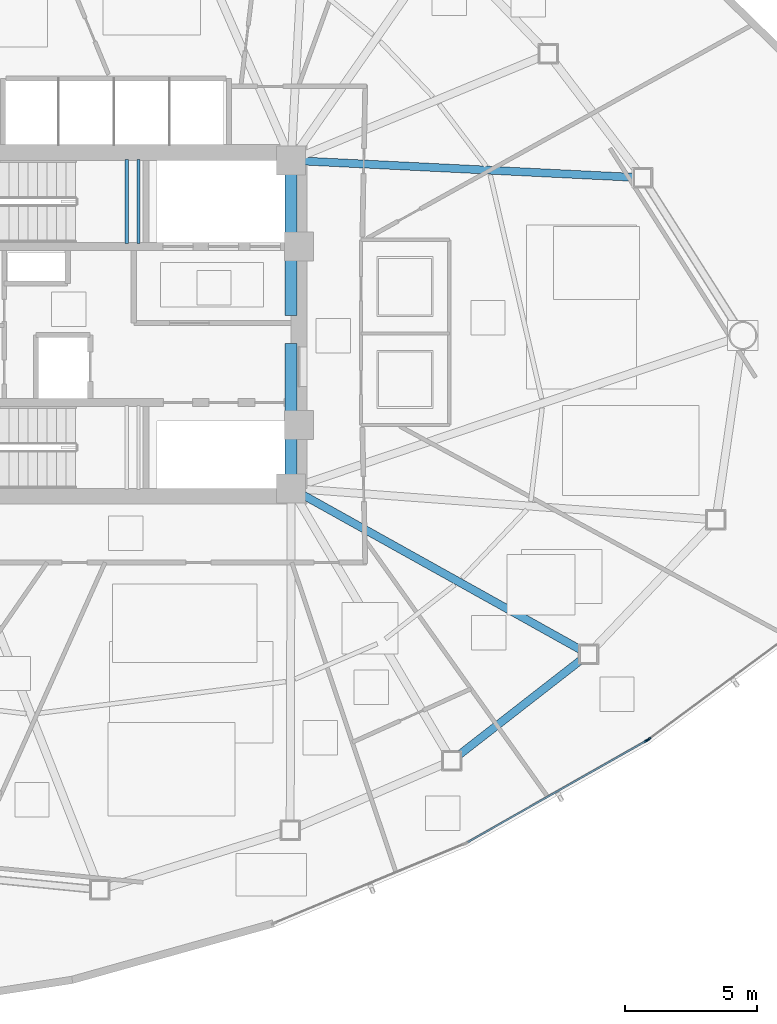
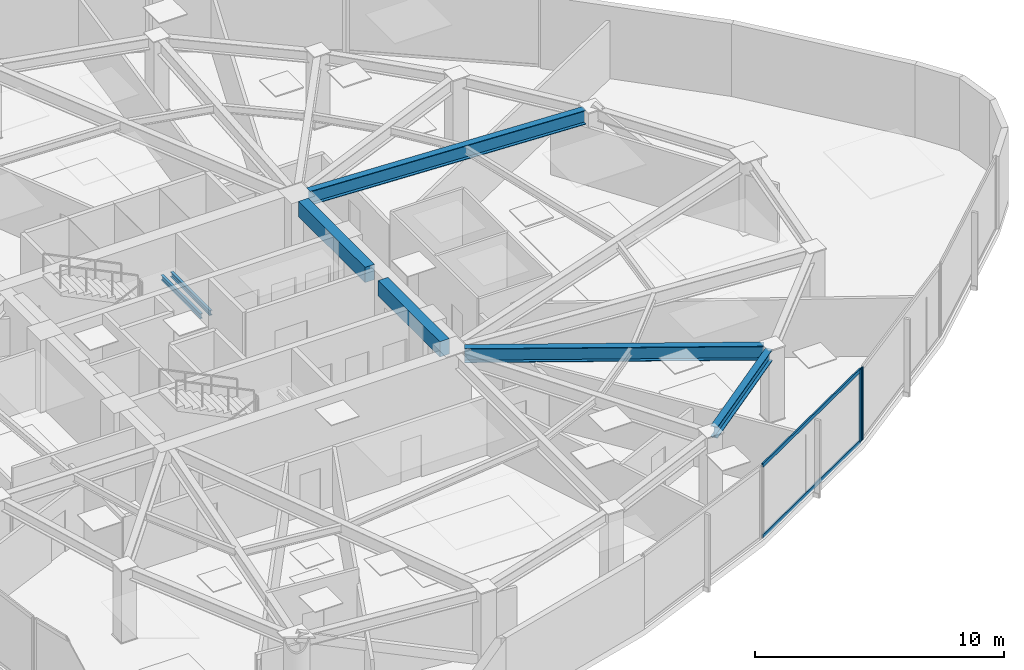
# One storey, part 5 of 17: 7 beams, 4 members, 2 elements without a shape of their own.
"""IFC4 building model written with IfcOpenShell, lengths in metres."""

from ifc_helpers import new_model, si_unit, direction, frame, origin, origin_2d, place, context, subcontext, project, spatial, rectangle, hollow_rectangle, i_section, extrude, source, transform, mapped, material, layer, layer_set, material_profile, profile_set, type_object, type_shapes, element, aggregate, save


model = new_model("IFC4")

# Units and contexts
model_context = context("Model", 3, precision=1e-05, world=origin(), true_north=direction((0.0, 1.0)))
body_context = subcontext(model_context, "Body", "Model", "MODEL_VIEW")
ifc_project = project(units=[si_unit("LENGTHUNIT", "METRE"), si_unit("AREAUNIT", "SQUARE_METRE"), si_unit("VOLUMEUNIT", "CUBIC_METRE"), si_unit("PLANEANGLEUNIT", "RADIAN"), si_unit("MASSUNIT", "GRAM", prefix="KILO")], contexts=[model_context])

# Site, building, storey
site_placement = place(None, origin())
site = spatial("IfcSite", under=ifc_project, at=site_placement, CompositionType="ELEMENT")
building_placement = place(site_placement, origin())
building = spatial("IfcBuilding", under=site, at=building_placement, Name="Tavelor Broadcast Tower", CompositionType="ELEMENT")
storey_placement = place(building_placement, frame((0.0, 0.0, 142.550048828125)))
storey = spatial("IfcBuildingStorey", under=building, at=storey_placement, Name="L33", CompositionType="ELEMENT", Elevation=142.550048828125)

# Beams
ifc_material_1 = material(Name="Concrete C40/50", Category="concrete")
ifc_material_profile_1 = material_profile(ifc_material_1, rectangle(XDim=0.449951171875, YDim=0.75, at=origin_2d()), Name="RC 450x750")
ifc_profile_set_1 = profile_set([ifc_material_profile_1], Name="Concrete C40/50")
beam_type_1 = type_object("IfcBeamType", Name="Basement Core Trim Beam 450x750", PredefinedType="BEAM", material=ifc_profile_set_1)
beam_1_placement = place(storey_placement, frame((56.60009765625, 45.327880859375, 3.175048828125), z_axis=(0.0, 1.0, 0.0), x_axis=(-1.0, 0.0, 0.0)))
element("IfcBeam", 1, at=beam_1_placement, inside=storey, type_object=beam_type_1, Name="L33 Core East-N Tie Girder", PredefinedType="BEAM", context=body_context, shape_type="SweptSolid", body=[
    extrude(rectangle(XDim=0.449951171875, YDim=0.75, at=origin_2d()), origin(), (0.0, 0.0, 1.0), 5.34423828125),
])
beam_2_placement = place(storey_placement, frame((56.60009765625, 39.327880859375, 3.175048828125), z_axis=(0.0, 1.0, 0.0), x_axis=(-1.0, 0.0, 0.0)))
element("IfcBeam", 2, at=beam_2_placement, inside=storey, type_object=beam_type_1, Name="L33 Core East-S Tie Girder", PredefinedType="BEAM", context=body_context, shape_type="SweptSolid", body=[
    extrude(rectangle(XDim=0.449951171875, YDim=0.75, at=origin_2d()), origin(), (0.0, 0.0, 1.0), 4.944091796875),
])
ifc_material_2 = material(Name="Steel S355", Category="steel")
ifc_material_profile_2 = material_profile(ifc_material_2, i_section(OverallWidth=0.300048828125, OverallDepth=0.550048828125, WebThickness=0.014892578125, FlangeThickness=0.029052734375, at=origin_2d()), Name="HEB 550")
ifc_profile_set_2 = profile_set([ifc_material_profile_2], Name="Steel S355")
beam_type_2 = type_object("IfcBeamType", Name="Perimeter Spandrel Beam T3 HEB 550", PredefinedType="SPANDREL", material=ifc_profile_set_2)
beam_3_placement = place(storey_placement, frame((62.934326171875, 28.709716796875, 3.27490234375), z_axis=(0.788970059341, 0.614431644257, 0.0), x_axis=(-0.614431644257, 0.788970059341, 0.0)))
element("IfcBeam", 3, at=beam_3_placement, inside=storey, type_object=beam_type_2, Name="L33 Framed-Tube Ring Spandrel 10", PredefinedType="SPANDREL", context=body_context, shape_type="SweptSolid", body=[
    extrude(i_section(OverallWidth=0.300048828125, OverallDepth=0.550048828125, WebThickness=0.014892578125, FlangeThickness=0.029052734375, at=origin_2d()), origin(), (0.0, 0.0, 1.0), 5.884765625),
])
ifc_material_profile_3 = material_profile(ifc_material_2, i_section(OverallWidth=0.300048828125, OverallDepth=0.68994140625, WebThickness=0.014404296875, FlangeThickness=0.027099609375, at=origin_2d()), Name="HEA 700")
ifc_profile_set_3 = profile_set([ifc_material_profile_3], Name="Steel S355")
beam_type_3 = type_object("IfcBeamType", Name="Radial Floor Girder T3 HEA 700", PredefinedType="BEAM", material=ifc_profile_set_3)
beam_4_placement = place(storey_placement, frame((57.061279296875, 38.54296875, 3.204833984375), z_axis=(0.873405286678, -0.486994050481, 0.0), x_axis=(0.486994050481, 0.873405286678, 0.0)))
element("IfcBeam", 4, at=beam_4_placement, inside=storey, type_object=beam_type_3, Name="L33 Radial Primary Floor Girder 11", PredefinedType="BEAM", context=body_context, shape_type="SweptSolid", body=[
    extrude(i_section(OverallWidth=0.300048828125, OverallDepth=0.68994140625, WebThickness=0.014404296875, FlangeThickness=0.027099609375, at=origin_2d()), origin(), (0.0, 0.0, 1.0), 12.007568359375),
])
beam_5_placement = place(storey_placement, frame((57.12744140625, 51.174072265625, 3.204833984375), z_axis=(0.998783710906, -0.04930617435, 0.0), x_axis=(0.04930617435, 0.998783710906, 0.0)))
element("IfcBeam", 5, at=beam_5_placement, inside=storey, type_object=beam_type_3, Name="L33 Radial Primary Floor Girder 14", PredefinedType="BEAM", context=body_context, shape_type="SweptSolid", body=[
    extrude(i_section(OverallWidth=0.300048828125, OverallDepth=0.68994140625, WebThickness=0.014404296875, FlangeThickness=0.027099609375, at=origin_2d()), origin(), (0.0, 0.0, 1.0), 12.438232421875),
])
ifc_material_profile_4 = material_profile(ifc_material_2, i_section(OverallWidth=0.1201171875, OverallDepth=0.239990234375, WebThickness=0.006103515625, FlangeThickness=0.009765625, at=origin_2d()), Name="IPE 240")
ifc_profile_set_4 = profile_set([ifc_material_profile_4], Name="Steel S355")
beam_type_4 = type_object("IfcBeamType", Name="Stairwell Landing Support Trimmer Beam IPE240", PredefinedType="BEAM", material=ifc_profile_set_4)
for number, where, z_axis, x_axis, name in (
    (6, (50.385009765625, 48.06005859375, 1.60986328125), (0.0, 1.0, 0.0), (-1.0, 0.0, 0.0), "L33 Stair Landing Support Beam 99"),
    (7, (50.824951171875, 48.06005859375, 1.60986328125), (0.0, 1.0, 0.0), (-1.0, 0.0, 0.0), "L33 Stair Landing Support Beam 100"),
):
    element("IfcBeam", number, at=place(storey_placement, frame(where, z_axis=z_axis, x_axis=x_axis)), inside=storey, type_object=beam_type_4, Name=name, PredefinedType="BEAM", context=body_context, shape_type="SweptSolid", body=[
        extrude(i_section(OverallWidth=0.1201171875, OverallDepth=0.239990234375, WebThickness=0.006103515625, FlangeThickness=0.009765625, at=origin_2d()), origin(), (0.0, 0.0, 1.0), 3.179931640625),
    ])

# Curtain wall, member
ifc_material_3 = material(Name="Architectural Anodized Aluminium", Category="aluminium")
ifc_layer = layer(ifc_material_3, 0.18994140625)
ifc_layer_set = layer_set([ifc_layer], Name="Architectural Anodized Aluminium")
curtain_wall_type = type_object("IfcCurtainWallType", Name="Tower Mid-Zone Acoustic Curtain Wall CW03", PredefinedType="NOTDEFINED", material=ifc_layer_set)
curtain_wall_1_placement = place(storey_placement, origin())
curtain_wall_1 = element("IfcCurtainWall", 8, at=curtain_wall_1_placement, inside=storey, type_object=curtain_wall_type, Name="L33 Curtain Wall CW03 Run 342", PredefinedType="NOTDEFINED")
ifc_material_profile_5 = material_profile(ifc_material_3, hollow_rectangle(XDim=0.068115234375, YDim=0.18994140625, WallThickness=0.02197265625, at=origin_2d()), Name="RHS 68x190x22")
ifc_profile_set_5 = profile_set([ifc_material_profile_5], Name="Architectural Anodized Aluminium")
member_type_1 = type_object("IfcMemberType", Name="CW03 Extruded Aluminium Mullion 68x190", PredefinedType="MULLION", material=ifc_profile_set_5)
shared_shape_1 = source(origin(), body_context, "Body", "SweptSolid", [
    extrude(hollow_rectangle(XDim=0.068115234375, YDim=0.18994140625, WallThickness=0.02197265625, at=origin_2d()), origin(), (0.0, 0.0, 1.0), 3.550048828125),
])
type_shapes(member_type_1, [shared_shape_1])
member_1_placement = place(storey_placement, frame((70.039794921875, 29.260498046875, 0.0), z_axis=(0.0, 0.0, 1.0), x_axis=(-0.493560856064, 0.869711263214, 0.0)))
member_1 = element("IfcMember", 9, at=member_1_placement, type_object=member_type_1, Name="CW03 mullion 2", PredefinedType="MULLION", context=body_context, shape_type="MappedRepresentation", body=[
    mapped(shared_shape_1, transform((0.0, 0.0, 0.0), scale=1.0)),
])

curtain_wall_2_placement = place(storey_placement, origin())
curtain_wall_2 = element("IfcCurtainWall", 10, at=curtain_wall_2_placement, inside=storey, type_object=curtain_wall_type, Name="L33 Curtain Wall CW03 Run 343", PredefinedType="NOTDEFINED")
member_2_placement = place(storey_placement, frame((70.121826171875, 29.313720703125, 0.0), z_axis=(0.0, 0.0, 1.0), x_axis=(-0.59518653881, 0.803587570847, 0.0)))
member_2 = element("IfcMember", 11, at=member_2_placement, type_object=member_type_1, Name="CW03 mullion 1", PredefinedType="MULLION", context=body_context, shape_type="MappedRepresentation", body=[
    mapped(shared_shape_1, transform((0.0, 0.0, 0.0), scale=1.0)),
])
aggregate(curtain_wall_2, [member_2])

# Member
ifc_material_profile_6 = material_profile(ifc_material_3, hollow_rectangle(XDim=0.068115234375, YDim=0.18994140625, WallThickness=0.02197265625, at=origin_2d()), Name="RHS 68x190x22")
ifc_profile_set_6 = profile_set([ifc_material_profile_6], Name="Architectural Anodized Aluminium")
member_type_2 = type_object("IfcMemberType", Name="CW03 Extruded Aluminium Transom 68x190", PredefinedType="USERDEFINED", material=ifc_profile_set_6)
shared_shape_2 = source(origin(), body_context, "Body", "SweptSolid", [
    extrude(hollow_rectangle(XDim=0.068115234375, YDim=0.18994140625, WallThickness=0.02197265625, at=origin_2d()), origin(), (0.0, 0.0, 1.0), 7.736572265625),
])
type_shapes(member_type_2, [shared_shape_2])
member_3_placement = place(storey_placement, frame((63.28173828125, 25.42529296875, 0.033935546875), z_axis=(0.869715204324, 0.493553911307, 0.0), x_axis=(-0.493553911307, 0.869715204324, 0.0)))
member_3 = element("IfcMember", 12, at=member_3_placement, type_object=member_type_2, Name="CW03 transom 1.1", ObjectType="TRANSOM", PredefinedType="USERDEFINED", context=body_context, shape_type="MappedRepresentation", body=[
    mapped(shared_shape_2, transform((0.0, 0.0, 0.0), scale=1.0)),
])

member_4_placement = place(storey_placement, frame((63.28173828125, 25.42529296875, 3.515869140625), z_axis=(0.869715204324, 0.493553911307, 0.0), x_axis=(-0.493553911307, 0.869715204324, 0.0)))
member_4 = element("IfcMember", 13, at=member_4_placement, type_object=member_type_2, Name="CW03 transom 1.2", ObjectType="TRANSOM", PredefinedType="USERDEFINED", context=body_context, shape_type="MappedRepresentation", body=[
    mapped(shared_shape_2, transform((0.0, 0.0, 0.0), scale=1.0)),
])

aggregate(curtain_wall_1, [member_1, member_3, member_4])

save(model, "model.ifc")
